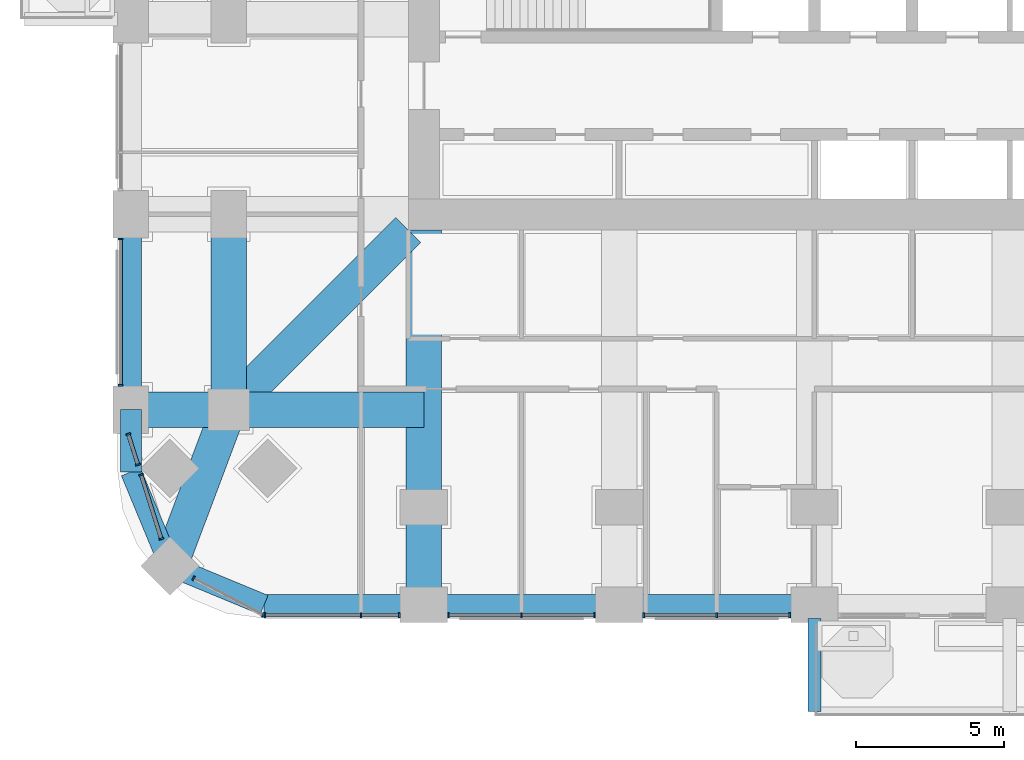
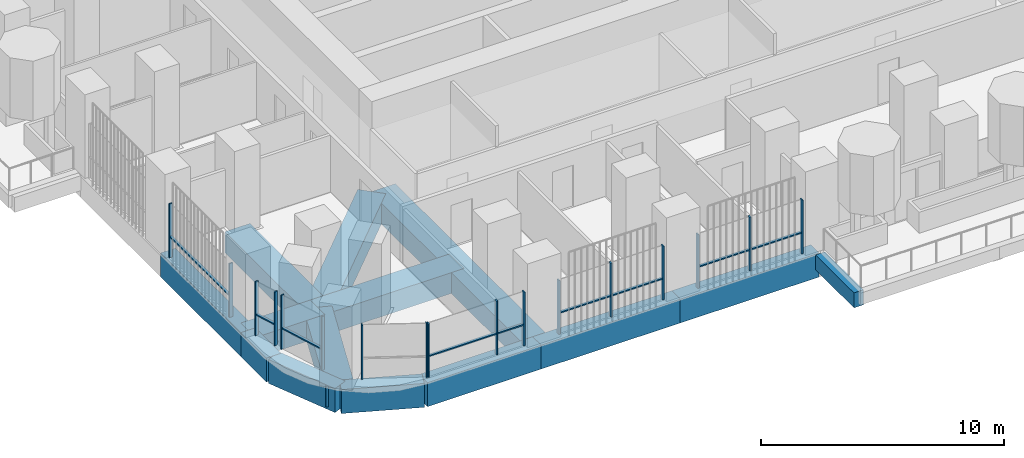
# One storey, part 2 of 21: 26 members, 14 beams, 7 elements without a shape of their own.
"""IFC4 building model written with IfcOpenShell, lengths in metres."""

from ifc_helpers import new_model, si_unit, direction, frame, origin, origin_2d, place, context, subcontext, project, spatial, rectangle, extrude, material, material_profile, profile_set, type_object, element, aggregate, save


model = new_model("IFC4")

# Units and contexts
model_context = context("Model", 3, precision=1e-05, world=origin(), true_north=direction((0.0, 1.0)))
body_context = subcontext(model_context, "Body", "Model", "MODEL_VIEW")
ifc_project = project(units=[si_unit("LENGTHUNIT", "METRE"), si_unit("AREAUNIT", "SQUARE_METRE"), si_unit("VOLUMEUNIT", "CUBIC_METRE"), si_unit("PLANEANGLEUNIT", "RADIAN"), si_unit("MASSUNIT", "GRAM", prefix="KILO")], contexts=[model_context])

# Site, building, storey
site_placement = place(None, origin())
site = spatial("IfcSite", under=ifc_project, at=site_placement, CompositionType="ELEMENT")
building_placement = place(site_placement, origin())
building = spatial("IfcBuilding", under=site, at=building_placement, Name="Cobogo Forest Laboratory Tower", CompositionType="ELEMENT")
storey_placement = place(building_placement, frame((0.0, 0.0, 86.39990234375)))
storey = spatial("IfcBuildingStorey", under=building, at=storey_placement, Name="L19", CompositionType="ELEMENT", Elevation=86.39990234375)

# Beams
ifc_material_1 = material(Name="Concrete HA-40 (C40/50)", Category="concrete")
ifc_material_profile_1 = material_profile(ifc_material_1, rectangle(XDim=0.449951171875, YDim=0.75, at=origin_2d()), Name="RC 450x750")
ifc_profile_set_1 = profile_set([ifc_material_profile_1], Name="Concrete HA-40 (C40/50)")
beam_type_1 = type_object("IfcBeamType", Name="Balcony cantilever beam 450x750", PredefinedType="BEAM", material=ifc_profile_set_1)
beam_1_placement = place(storey_placement, frame((26.39990234375, -0.449951171875, -0.625), z_axis=(0.0, -1.0, 0.0), x_axis=(1.0, 0.0, 0.0)))
element("IfcBeam", 1, at=beam_1_placement, inside=storey, type_object=beam_type_1, Name="CB1 BAL-S1-C1 L19", PredefinedType="BEAM", context=body_context, shape_type="SweptSolid", body=[
    extrude(rectangle(XDim=0.449951171875, YDim=0.75, at=origin_2d()), origin(), (0.0, 0.0, 1.0), 3.150146484375),
])
ifc_material_profile_2 = material_profile(ifc_material_1, rectangle(XDim=1.199951171875, YDim=1.050048828125, at=origin_2d()), Name="RC 1200x1050")
ifc_profile_set_2 = profile_set([ifc_material_profile_2], Name="Concrete HA-40 (C40/50)")
beam_type_2 = type_object("IfcBeamType", Name="Laboratory floor wide beam 1200x1050", PredefinedType="BEAM", material=ifc_profile_set_2)
beam_2_placement = place(storey_placement, frame((13.199951171875, 12.675048828125, -0.824951171875), z_axis=(0.0, -1.0, 0.0), x_axis=(1.0, 0.0, 0.0)))
element("IfcBeam", 2, at=beam_2_placement, inside=storey, type_object=beam_type_2, Name="RB1 R-3-S L19", PredefinedType="BEAM", context=body_context, shape_type="SweptSolid", body=[
    extrude(rectangle(XDim=1.199951171875, YDim=1.050048828125, at=origin_2d()), origin(), (0.0, 0.0, 1.0), 12.675048828125),
])
beam_3_placement = place(storey_placement, frame((6.60009765625, 6.60009765625, -0.824951171875), z_axis=(0.0, 1.0, 0.0), x_axis=(-1.0, 0.0, 0.0)))
element("IfcBeam", 3, at=beam_3_placement, inside=storey, type_object=beam_type_2, Name="RB1 G-SW-XC L19", PredefinedType="BEAM", context=body_context, shape_type="SweptSolid", body=[
    extrude(rectangle(XDim=1.199951171875, YDim=1.050048828125, at=origin_2d()), origin(), (0.0, 0.0, 1.0), 6.599853515625),
])
beam_4_placement = place(storey_placement, frame((3.300048828125, 6.60009765625, -0.824951171875), z_axis=(1.0, 0.0, 0.0), x_axis=(0.0, 1.0, 0.0)))
element("IfcBeam", 4, at=beam_4_placement, inside=storey, type_object=beam_type_2, Name="RB1 G-SW-YF L19", PredefinedType="BEAM", context=body_context, shape_type="SweptSolid", body=[
    extrude(rectangle(XDim=1.199951171875, YDim=1.050048828125, at=origin_2d()), origin(), (0.0, 0.0, 1.0), 3.300048828125),
])
beam_5_placement = place(storey_placement, frame((6.60009765625, 6.60009765625, -0.824951171875), z_axis=(1.0, 0.0, 0.0), x_axis=(0.0, 1.0, 0.0)))
element("IfcBeam", 5, at=beam_5_placement, inside=storey, type_object=beam_type_2, Name="RB1 G-SW-YC L19", PredefinedType="BEAM", context=body_context, shape_type="SweptSolid", body=[
    extrude(rectangle(XDim=1.199951171875, YDim=1.050048828125, at=origin_2d()), origin(), (0.0, 0.0, 1.0), 6.599853515625),
])
beam_6_placement = place(storey_placement, frame((4.617919921875, 1.318115234375, -0.824951171875), z_axis=(0.351346325373, 0.936245565889, 0.0), x_axis=(-0.936245565889, 0.351346325373, 0.0)))
element("IfcBeam", 6, at=beam_6_placement, inside=storey, type_object=beam_type_2, Name="RB1 G-SW-D1 L19", PredefinedType="BEAM", context=body_context, shape_type="SweptSolid", body=[
    extrude(rectangle(XDim=1.199951171875, YDim=1.050048828125, at=origin_2d()), origin(), (0.0, 0.0, 1.0), 5.6416015625),
])
beam_7_placement = place(storey_placement, frame((6.60009765625, 6.60009765625, -0.824951171875), z_axis=(0.707106781187, 0.707106781187, 0.0), x_axis=(-0.707106781187, 0.707106781187, 0.0)))
element("IfcBeam", 7, at=beam_7_placement, inside=storey, type_object=beam_type_2, Name="RB1 G-SW-D2 L19", PredefinedType="BEAM", context=body_context, shape_type="SweptSolid", body=[
    extrude(rectangle(XDim=1.199951171875, YDim=1.050048828125, at=origin_2d()), origin(), (0.0, 0.0, 1.0), 8.59130859375),
])

# Curtain wall, members
ifc_material_2 = material(Name="Aluminium curtain wall", Category="aluminium")
curtain_wall_type = type_object("IfcCurtainWallType", Name="CW-1 unitised curtain wall, clear glazing, laboratory floors zones A and B", PredefinedType="USERDEFINED", material=ifc_material_2)
curtain_wall_1_placement = place(storey_placement, origin())
curtain_wall_1 = element("IfcCurtainWall", 8, at=curtain_wall_1_placement, inside=storey, type_object=curtain_wall_type, Name="Curtain wall 01 L19", ObjectType="UNITISED CURTAIN WALL", PredefinedType="USERDEFINED")
ifc_material_3 = material(Name="Aluminium mullion", Category="aluminium")
ifc_material_profile_3 = material_profile(ifc_material_3, rectangle(XDim=0.06005859375, YDim=0.159912109375, at=origin_2d()), Name="AL 60x160")
ifc_profile_set_3 = profile_set([ifc_material_profile_3], Name="Aluminium mullion")
member_type_1 = type_object("IfcMemberType", Name="MU-1 aluminium mullion 60x160", PredefinedType="MULLION", material=ifc_profile_set_3)
member_1_placement = place(storey_placement, frame((7.830078125, -0.35009765625, 0.0), z_axis=(0.0, 0.0, 1.0), x_axis=(1.0, 0.0, 0.0)))
member_1 = element("IfcMember", 9, at=member_1_placement, type_object=member_type_1, Name="CW-1 mullion 1", PredefinedType="MULLION", context=body_context, shape_type="SweptSolid", body=[
    extrude(rectangle(XDim=0.06005859375, YDim=0.159912109375, at=origin_2d()), origin(), (0.0, 0.0, 1.0), 2.7001953125),
])
member_2_placement = place(storey_placement, frame((11.074951171875, -0.35009765625, 0.0), z_axis=(0.0, 0.0, 1.0), x_axis=(1.0, 0.0, 0.0)))
member_2 = element("IfcMember", 10, at=member_2_placement, type_object=member_type_1, Name="CW-1 mullion 2", PredefinedType="MULLION", context=body_context, shape_type="SweptSolid", body=[
    extrude(rectangle(XDim=0.06005859375, YDim=0.159912109375, at=origin_2d()), origin(), (0.0, 0.0, 1.0), 2.7001953125),
])
member_3_placement = place(storey_placement, frame((12.3701171875, -0.35009765625, 0.0), z_axis=(0.0, 0.0, 1.0), x_axis=(1.0, 0.0, 0.0)))
member_3 = element("IfcMember", 11, at=member_3_placement, type_object=member_type_1, Name="CW-1 mullion 3", PredefinedType="MULLION", context=body_context, shape_type="SweptSolid", body=[
    extrude(rectangle(XDim=0.06005859375, YDim=0.159912109375, at=origin_2d()), origin(), (0.0, 0.0, 1.0), 2.7001953125),
])

curtain_wall_2_placement = place(storey_placement, origin())
curtain_wall_2 = element("IfcCurtainWall", 12, at=curtain_wall_2_placement, inside=storey, type_object=curtain_wall_type, Name="Curtain wall 02 L19", ObjectType="UNITISED CURTAIN WALL", PredefinedType="USERDEFINED")
member_4_placement = place(storey_placement, frame((14.030029296875, -0.35009765625, 0.0), z_axis=(0.0, 0.0, 1.0), x_axis=(1.0, 0.0, 0.0)))
member_4 = element("IfcMember", 13, at=member_4_placement, type_object=member_type_1, Name="CW-1 mullion 1", PredefinedType="MULLION", context=body_context, shape_type="SweptSolid", body=[
    extrude(rectangle(XDim=0.06005859375, YDim=0.159912109375, at=origin_2d()), origin(), (0.0, 0.0, 1.0), 2.7001953125),
])
member_5_placement = place(storey_placement, frame((16.5, -0.35009765625, 0.0), z_axis=(0.0, 0.0, 1.0), x_axis=(1.0, 0.0, 0.0)))
member_5 = element("IfcMember", 14, at=member_5_placement, type_object=member_type_1, Name="CW-1 mullion 2", PredefinedType="MULLION", context=body_context, shape_type="SweptSolid", body=[
    extrude(rectangle(XDim=0.06005859375, YDim=0.159912109375, at=origin_2d()), origin(), (0.0, 0.0, 1.0), 2.7001953125),
])
member_6_placement = place(storey_placement, frame((18.969970703125, -0.35009765625, 0.0), z_axis=(0.0, 0.0, 1.0), x_axis=(1.0, 0.0, 0.0)))
member_6 = element("IfcMember", 15, at=member_6_placement, type_object=member_type_1, Name="CW-1 mullion 3", PredefinedType="MULLION", context=body_context, shape_type="SweptSolid", body=[
    extrude(rectangle(XDim=0.06005859375, YDim=0.159912109375, at=origin_2d()), origin(), (0.0, 0.0, 1.0), 2.7001953125),
])

curtain_wall_3_placement = place(storey_placement, origin())
curtain_wall_3 = element("IfcCurtainWall", 16, at=curtain_wall_3_placement, inside=storey, type_object=curtain_wall_type, Name="Curtain wall 03 L19", ObjectType="UNITISED CURTAIN WALL", PredefinedType="USERDEFINED")
member_7_placement = place(storey_placement, frame((20.6298828125, -0.35009765625, 0.0), z_axis=(0.0, 0.0, 1.0), x_axis=(1.0, 0.0, 0.0)))
member_7 = element("IfcMember", 17, at=member_7_placement, type_object=member_type_1, Name="CW-1 mullion 1", PredefinedType="MULLION", context=body_context, shape_type="SweptSolid", body=[
    extrude(rectangle(XDim=0.06005859375, YDim=0.159912109375, at=origin_2d()), origin(), (0.0, 0.0, 1.0), 2.7001953125),
])
member_8_placement = place(storey_placement, frame((23.10009765625, -0.35009765625, 0.0), z_axis=(0.0, 0.0, 1.0), x_axis=(1.0, 0.0, 0.0)))
member_8 = element("IfcMember", 18, at=member_8_placement, type_object=member_type_1, Name="CW-1 mullion 2", PredefinedType="MULLION", context=body_context, shape_type="SweptSolid", body=[
    extrude(rectangle(XDim=0.06005859375, YDim=0.159912109375, at=origin_2d()), origin(), (0.0, 0.0, 1.0), 2.7001953125),
])
member_9_placement = place(storey_placement, frame((25.570068359375, -0.35009765625, 0.0), z_axis=(0.0, 0.0, 1.0), x_axis=(1.0, 0.0, 0.0)))
member_9 = element("IfcMember", 19, at=member_9_placement, type_object=member_type_1, Name="CW-1 mullion 3", PredefinedType="MULLION", context=body_context, shape_type="SweptSolid", body=[
    extrude(rectangle(XDim=0.06005859375, YDim=0.159912109375, at=origin_2d()), origin(), (0.0, 0.0, 1.0), 2.7001953125),
])

curtain_wall_4_placement = place(storey_placement, origin())
curtain_wall_4 = element("IfcCurtainWall", 20, at=curtain_wall_4_placement, inside=storey, type_object=curtain_wall_type, Name="Curtain wall 31 L19", ObjectType="UNITISED CURTAIN WALL", PredefinedType="USERDEFINED")
member_10_placement = place(storey_placement, frame((2.949951171875, 12.3701171875, 0.0), z_axis=(0.0, 0.0, 1.0), x_axis=(0.0, -1.0, 0.0)))
member_10 = element("IfcMember", 21, at=member_10_placement, type_object=member_type_1, Name="CW-1 mullion 1", PredefinedType="MULLION", context=body_context, shape_type="SweptSolid", body=[
    extrude(rectangle(XDim=0.06005859375, YDim=0.159912109375, at=origin_2d()), origin(), (0.0, 0.0, 1.0), 2.7001953125),
])
member_11_placement = place(storey_placement, frame((2.949951171875, 7.429931640625, 0.0), z_axis=(0.0, 0.0, 1.0), x_axis=(0.0, -1.0, 0.0)))
member_11 = element("IfcMember", 22, at=member_11_placement, type_object=member_type_1, Name="CW-1 mullion 2", PredefinedType="MULLION", context=body_context, shape_type="SweptSolid", body=[
    extrude(rectangle(XDim=0.06005859375, YDim=0.159912109375, at=origin_2d()), origin(), (0.0, 0.0, 1.0), 2.7001953125),
])

curtain_wall_5_placement = place(storey_placement, origin())
curtain_wall_5 = element("IfcCurtainWall", 23, at=curtain_wall_5_placement, inside=storey, type_object=curtain_wall_type, Name="Curtain wall 32 L19", ObjectType="UNITISED CURTAIN WALL", PredefinedType="USERDEFINED")
member_12_placement = place(storey_placement, frame((3.211669921875, 5.771484375, 0.0), z_axis=(0.0, 0.0, 1.0), x_axis=(0.3011355018, -0.953581359694, 0.0)))
member_12 = element("IfcMember", 24, at=member_12_placement, type_object=member_type_1, Name="CW-1 mullion 1", PredefinedType="MULLION", context=body_context, shape_type="SweptSolid", body=[
    extrude(rectangle(XDim=0.06005859375, YDim=0.159912109375, at=origin_2d()), origin(), (0.0, 0.0, 1.0), 2.7001953125),
])
member_13_placement = place(storey_placement, frame((3.53515625, 4.74658203125, 0.0), z_axis=(0.0, 0.0, 1.0), x_axis=(0.3011355018, -0.953581359694, 0.0)))
member_13 = element("IfcMember", 25, at=member_13_placement, type_object=member_type_1, Name="CW-1 mullion 2", PredefinedType="MULLION", context=body_context, shape_type="SweptSolid", body=[
    extrude(rectangle(XDim=0.06005859375, YDim=0.159912109375, at=origin_2d()), origin(), (0.0, 0.0, 1.0), 2.7001953125),
])

curtain_wall_6_placement = place(storey_placement, origin())
curtain_wall_6 = element("IfcCurtainWall", 26, at=curtain_wall_6_placement, inside=storey, type_object=curtain_wall_type, Name="Curtain wall 33 L19", ObjectType="UNITISED CURTAIN WALL", PredefinedType="USERDEFINED")
member_14_placement = place(storey_placement, frame((3.645751953125, 4.39697265625, 0.0), z_axis=(0.0, 0.0, 1.0), x_axis=(0.301135343623, -0.953581409645, 0.0)))
member_14 = element("IfcMember", 27, at=member_14_placement, type_object=member_type_1, Name="CW-1 mullion 1", PredefinedType="MULLION", context=body_context, shape_type="SweptSolid", body=[
    extrude(rectangle(XDim=0.06005859375, YDim=0.159912109375, at=origin_2d()), origin(), (0.0, 0.0, 1.0), 2.7001953125),
])
member_15_placement = place(storey_placement, frame((4.3271484375, 2.23876953125, 0.0), z_axis=(0.0, 0.0, 1.0), x_axis=(0.301135343623, -0.953581409645, 0.0)))
member_15 = element("IfcMember", 28, at=member_15_placement, type_object=member_type_1, Name="CW-1 mullion 2", PredefinedType="MULLION", context=body_context, shape_type="SweptSolid", body=[
    extrude(rectangle(XDim=0.06005859375, YDim=0.159912109375, at=origin_2d()), origin(), (0.0, 0.0, 1.0), 2.7001953125),
])

curtain_wall_7_placement = place(storey_placement, origin())
curtain_wall_7 = element("IfcCurtainWall", 29, at=curtain_wall_7_placement, inside=storey, type_object=curtain_wall_type, Name="Curtain wall 34 L19", ObjectType="UNITISED CURTAIN WALL", PredefinedType="USERDEFINED")
member_16_placement = place(storey_placement, frame((5.414794921875, 0.900390625, 0.0), z_axis=(0.0, 0.0, 1.0), x_axis=(0.885686540666, -0.464283697413, 0.0)))
member_16 = element("IfcMember", 30, at=member_16_placement, type_object=member_type_1, Name="CW-1 mullion 1", PredefinedType="MULLION", context=body_context, shape_type="SweptSolid", body=[
    extrude(rectangle(XDim=0.06005859375, YDim=0.159912109375, at=origin_2d()), origin(), (0.0, 0.0, 1.0), 2.7001953125),
])
member_17_placement = place(storey_placement, frame((7.7734375, -0.336181640625, 0.0), z_axis=(0.0, 0.0, 1.0), x_axis=(0.885686540666, -0.464283697413, 0.0)))
member_17 = element("IfcMember", 31, at=member_17_placement, type_object=member_type_1, Name="CW-1 mullion 2", PredefinedType="MULLION", context=body_context, shape_type="SweptSolid", body=[
    extrude(rectangle(XDim=0.06005859375, YDim=0.159912109375, at=origin_2d()), origin(), (0.0, 0.0, 1.0), 2.7001953125),
])
aggregate(curtain_wall_7, [member_16, member_17])

# Beams
ifc_material_profile_4 = material_profile(ifc_material_1, rectangle(XDim=0.699951171875, YDim=1.199951171875, at=origin_2d()), Name="RC 700x1200")
ifc_profile_set_4 = profile_set([ifc_material_profile_4], Name="Concrete HA-40 (C40/50)")
beam_type_3 = type_object("IfcBeamType", Name="Perimeter edge beam 700x1200", PredefinedType="BEAM", material=ifc_profile_set_4)
beam_8_placement = place(storey_placement, frame((13.199951171875, 0.0, -0.89990234375), z_axis=(1.0, 0.0, 0.0), x_axis=(0.0, 1.0, 0.0)))
element("IfcBeam", 32, at=beam_8_placement, inside=storey, type_object=beam_type_3, Name="EB1 E-S1 L19", PredefinedType="BEAM", context=body_context, shape_type="SweptSolid", body=[
    extrude(rectangle(XDim=0.699951171875, YDim=1.199951171875, at=origin_2d()), origin(), (0.0, 0.0, 1.0), 6.60009765625),
])
for number, where, z_axis, x_axis, name in (
    (33, (19.800048828125, 0.0, -0.89990234375), (1.0, 0.0, 0.0), (0.0, 1.0, 0.0), "EB1 E-S2 L19"),
    (34, (3.300048828125, 6.60009765625, -0.89990234375), (0.0, 1.0, 0.0), (-1.0, 0.0, 0.0), "EB1 E-W1 L19"),
):
    element("IfcBeam", number, at=place(storey_placement, frame(where, z_axis=z_axis, x_axis=x_axis)), inside=storey, type_object=beam_type_3, Name=name, PredefinedType="BEAM", context=body_context, shape_type="SweptSolid", body=[
        extrude(rectangle(XDim=0.699951171875, YDim=1.199951171875, at=origin_2d()), origin(), (0.0, 0.0, 1.0), 6.599853515625),
    ])
beam_9_placement = place(storey_placement, frame((13.199951171875, 0.0, -0.89990234375), z_axis=(-1.0, 0.0, 0.0), x_axis=(0.0, -1.0, 0.0)))
element("IfcBeam", 35, at=beam_9_placement, inside=storey, type_object=beam_type_3, Name="EB1 E-SWS1 L19", PredefinedType="BEAM", context=body_context, shape_type="SweptSolid", body=[
    extrude(rectangle(XDim=0.699951171875, YDim=1.199951171875, at=origin_2d()), origin(), (0.0, 0.0, 1.0), 5.39990234375),
])
beam_10_placement = place(storey_placement, frame((7.800048828125, 0.0, -0.89990234375), z_axis=(-0.923876013265, 0.382691928466, 0.0), x_axis=(-0.382691928466, -0.923876013265, 0.0)))
element("IfcBeam", 36, at=beam_10_placement, inside=storey, type_object=beam_type_3, Name="EB1 E-SWS2 L19", PredefinedType="BEAM", context=body_context, shape_type="SweptSolid", body=[
    extrude(rectangle(XDim=0.699951171875, YDim=1.199951171875, at=origin_2d()), origin(), (0.0, 0.0, 1.0), 3.4443359375),
])
beam_11_placement = place(storey_placement, frame((3.300048828125, 6.60009765625, -0.89990234375), z_axis=(0.0, -1.0, 0.0), x_axis=(1.0, 0.0, 0.0)))
element("IfcBeam", 37, at=beam_11_placement, inside=storey, type_object=beam_type_3, Name="EB1 E-SWW1 L19", PredefinedType="BEAM", context=body_context, shape_type="SweptSolid", body=[
    extrude(rectangle(XDim=0.699951171875, YDim=1.199951171875, at=origin_2d()), origin(), (0.0, 0.0, 1.0), 2.10009765625),
])
beam_12_placement = place(storey_placement, frame((3.300048828125, 4.5, -0.89990234375), z_axis=(0.382656484822, -0.923890694089, 0.0), x_axis=(0.923890694089, 0.382656484822, 0.0)))
element("IfcBeam", 38, at=beam_12_placement, inside=storey, type_object=beam_type_3, Name="EB1 E-SWW2 L19", PredefinedType="BEAM", context=body_context, shape_type="SweptSolid", body=[
    extrude(rectangle(XDim=0.699951171875, YDim=1.199951171875, at=origin_2d()), origin(), (0.0, 0.0, 1.0), 3.444091796875),
])

# Member
ifc_material_4 = material(Name="Aluminium transom", Category="aluminium")
ifc_material_profile_5 = material_profile(ifc_material_4, rectangle(XDim=0.1201171875, YDim=0.06005859375, at=origin_2d()), Name="AL 60x120")
ifc_profile_set_5 = profile_set([ifc_material_profile_5], Name="Aluminium transom")
member_type_2 = type_object("IfcMemberType", Name="TR-1 aluminium transom 60x120", PredefinedType="USERDEFINED", material=ifc_profile_set_5)
member_18_placement = place(storey_placement, frame((7.860107421875, -0.35009765625, 1.050048828125), z_axis=(1.0, 0.0, 0.0), x_axis=(0.0, 1.0, 0.0)))
member_18 = element("IfcMember", 39, at=member_18_placement, type_object=member_type_2, Name="CW-1 transom 1.1", ObjectType="TRANSOM", PredefinedType="USERDEFINED", context=body_context, shape_type="SweptSolid", body=[
    extrude(rectangle(XDim=0.1201171875, YDim=0.06005859375, at=origin_2d()), origin(), (0.0, 0.0, 1.0), 3.184814453125),
])

member_19_placement = place(storey_placement, frame((11.10498046875, -0.35009765625, 1.050048828125), z_axis=(1.0, 0.0, 0.0), x_axis=(0.0, 1.0, 0.0)))
member_19 = element("IfcMember", 40, at=member_19_placement, type_object=member_type_2, Name="CW-1 transom 2.1", ObjectType="TRANSOM", PredefinedType="USERDEFINED", context=body_context, shape_type="SweptSolid", body=[
    extrude(rectangle(XDim=0.1201171875, YDim=0.06005859375, at=origin_2d()), origin(), (0.0, 0.0, 1.0), 1.235107421875),
])

aggregate(curtain_wall_1, [member_1, member_2, member_3, member_18, member_19])

member_20_placement = place(storey_placement, frame((14.06005859375, -0.35009765625, 1.050048828125), z_axis=(1.0, 0.0, 0.0), x_axis=(0.0, 1.0, 0.0)))
member_20 = element("IfcMember", 41, at=member_20_placement, type_object=member_type_2, Name="CW-1 transom 1.1", ObjectType="TRANSOM", PredefinedType="USERDEFINED", context=body_context, shape_type="SweptSolid", body=[
    extrude(rectangle(XDim=0.1201171875, YDim=0.06005859375, at=origin_2d()), origin(), (0.0, 0.0, 1.0), 2.409912109375),
])

member_21_placement = place(storey_placement, frame((16.530029296875, -0.35009765625, 1.050048828125), z_axis=(1.0, 0.0, 0.0), x_axis=(0.0, 1.0, 0.0)))
member_21 = element("IfcMember", 42, at=member_21_placement, type_object=member_type_2, Name="CW-1 transom 2.1", ObjectType="TRANSOM", PredefinedType="USERDEFINED", context=body_context, shape_type="SweptSolid", body=[
    extrude(rectangle(XDim=0.1201171875, YDim=0.06005859375, at=origin_2d()), origin(), (0.0, 0.0, 1.0), 2.409912109375),
])

aggregate(curtain_wall_2, [member_4, member_5, member_6, member_20, member_21])

member_22_placement = place(storey_placement, frame((20.659912109375, -0.35009765625, 1.050048828125), z_axis=(1.0, 0.0, 0.0), x_axis=(0.0, 1.0, 0.0)))
member_22 = element("IfcMember", 43, at=member_22_placement, type_object=member_type_2, Name="CW-1 transom 1.1", ObjectType="TRANSOM", PredefinedType="USERDEFINED", context=body_context, shape_type="SweptSolid", body=[
    extrude(rectangle(XDim=0.1201171875, YDim=0.06005859375, at=origin_2d()), origin(), (0.0, 0.0, 1.0), 2.41015625),
])

member_23_placement = place(storey_placement, frame((23.1298828125, -0.35009765625, 1.050048828125), z_axis=(1.0, 0.0, 0.0), x_axis=(0.0, 1.0, 0.0)))
member_23 = element("IfcMember", 44, at=member_23_placement, type_object=member_type_2, Name="CW-1 transom 2.1", ObjectType="TRANSOM", PredefinedType="USERDEFINED", context=body_context, shape_type="SweptSolid", body=[
    extrude(rectangle(XDim=0.1201171875, YDim=0.06005859375, at=origin_2d()), origin(), (0.0, 0.0, 1.0), 2.41015625),
])

aggregate(curtain_wall_3, [member_7, member_8, member_9, member_22, member_23])

member_24_placement = place(storey_placement, frame((2.949951171875, 12.340087890625, 1.050048828125), z_axis=(0.0, -1.0, 0.0), x_axis=(1.0, 0.0, 0.0)))
member_24 = element("IfcMember", 45, at=member_24_placement, type_object=member_type_2, Name="CW-1 transom 1.1", ObjectType="TRANSOM", PredefinedType="USERDEFINED", context=body_context, shape_type="SweptSolid", body=[
    extrude(rectangle(XDim=0.1201171875, YDim=0.06005859375, at=origin_2d()), origin(), (0.0, 0.0, 1.0), 4.880126953125),
])

aggregate(curtain_wall_4, [member_10, member_11, member_24])

member_25_placement = place(storey_placement, frame((3.220703125, 5.74267578125, 1.050048828125), z_axis=(0.301096810965, -0.953593577174, 0.0), x_axis=(0.953593577174, 0.301096810965, 0.0)))
member_25 = element("IfcMember", 46, at=member_25_placement, type_object=member_type_2, Name="CW-1 transom 1.1", ObjectType="TRANSOM", PredefinedType="USERDEFINED", context=body_context, shape_type="SweptSolid", body=[
    extrude(rectangle(XDim=0.1201171875, YDim=0.06005859375, at=origin_2d()), origin(), (0.0, 0.0, 1.0), 1.014404296875),
])

aggregate(curtain_wall_5, [member_12, member_13, member_25])

member_26_placement = place(storey_placement, frame((3.65478515625, 4.368408203125, 1.050048828125), z_axis=(0.301062426819, -0.953604433273, 0.0), x_axis=(0.953604433273, 0.301062426819, 0.0)))
member_26 = element("IfcMember", 47, at=member_26_placement, type_object=member_type_2, Name="CW-1 transom 1.1", ObjectType="TRANSOM", PredefinedType="USERDEFINED", context=body_context, shape_type="SweptSolid", body=[
    extrude(rectangle(XDim=0.1201171875, YDim=0.06005859375, at=origin_2d()), origin(), (0.0, 0.0, 1.0), 2.203369140625),
])

aggregate(curtain_wall_6, [member_14, member_15, member_26])

save(model, "model.ifc")
